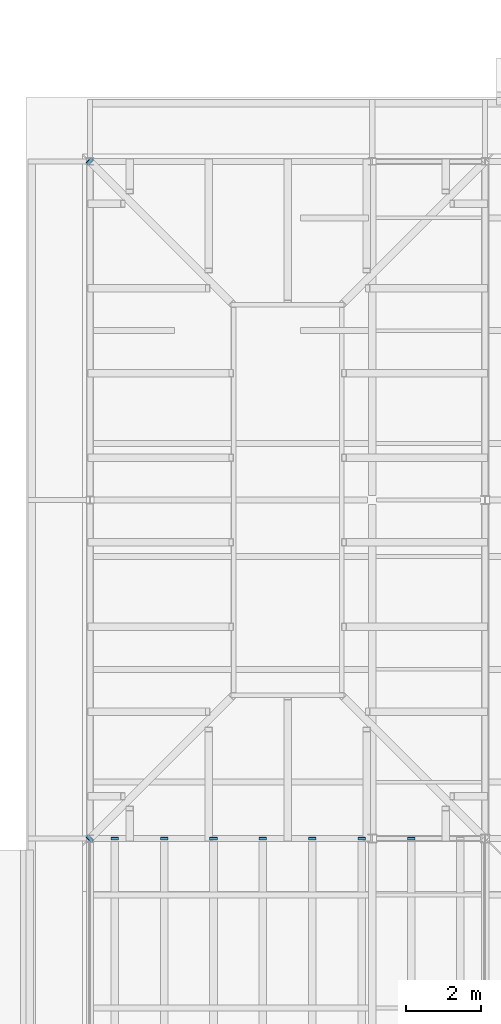
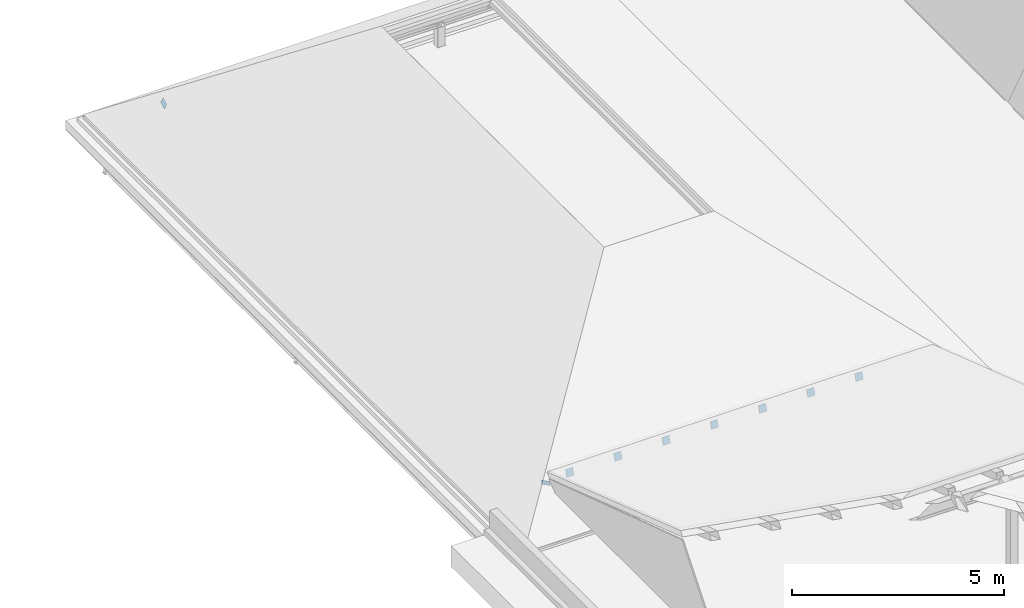
# One storey, part 101 of 121: 9 discrete accessories.
"""IFC4 building model written with IfcOpenShell, lengths in metres."""

from ifc_helpers import new_model, si_unit, direction, frame, origin, origin_2d, place, context, subcontext, project, spatial, rectangle, extrude, material, material_profile, profile_set, type_object, element, save


model = new_model("IFC4")

# Units and contexts
model_context = context("Model", 3, precision=1e-05, world=origin(), true_north=direction((0.0, 1.0)))
body_context = subcontext(model_context, "Body", "Model", "MODEL_VIEW")
ifc_project = project(units=[si_unit("LENGTHUNIT", "METRE"), si_unit("AREAUNIT", "SQUARE_METRE"), si_unit("VOLUMEUNIT", "CUBIC_METRE"), si_unit("PLANEANGLEUNIT", "RADIAN"), si_unit("MASSUNIT", "GRAM", prefix="KILO")], contexts=[model_context])

# Site, building, storey
site_placement = place(None, origin())
site = spatial("IfcSite", under=ifc_project, at=site_placement, CompositionType="ELEMENT")
building_placement = place(site_placement, origin())
building = spatial("IfcBuilding", under=site, at=building_placement, Name="Golden Quay Civic Hall", CompositionType="ELEMENT")
storey_placement = place(building_placement, frame((0.0, 0.0, 18.60009765625)))
storey = spatial("IfcBuildingStorey", under=building, at=storey_placement, Name="L04", CompositionType="ELEMENT", Elevation=18.60009765625)

# Discrete accessories
ifc_material = material(Name="Steel S355", Category="steel")
ifc_material_profile = material_profile(ifc_material, rectangle(XDim=0.199951171875, YDim=0.199951171875, at=origin_2d()), Name="Steel end cap plate 200x200x16")
ifc_profile_set = profile_set([ifc_material_profile], Name="Steel S355")
discrete_accessory_type = type_object("IfcDiscreteAccessoryType", Name="Steel end cap plate 200x200x16", PredefinedType="BRACKET", material=ifc_profile_set)
for number, where, z_axis, x_axis, name in (
    (1, (54.0, 36.0, 0.92822265625), (-0.628025291884, -0.628025291884, -0.459530701378), (0.707106781187, -0.707106781187, 0.0), "End cap hip rafter WM-N south-west"),
    (2, (54.0, 54.0, 0.92822265625), (-0.628025291884, 0.628025291884, -0.459530701378), (-0.707106781187, -0.707106781187, 0.0), "End cap hip rafter WM-N north-west"),
    (3, (54.65625, 36.0, 0.990478515625), (0.0, 0.947144575628, -0.32080703368), (-1.0, 0.0, 0.0), "End cap gable rafter north 1"),
    (4, (55.96875, 36.0, 0.990478515625), (0.0, 0.947144575628, -0.32080703368), (-1.0, 0.0, 0.0), "End cap gable rafter north 2"),
    (5, (57.28125, 36.0, 0.990478515625), (0.0, 0.947144575628, -0.32080703368), (-1.0, 0.0, 0.0), "End cap gable rafter north 3"),
    (6, (58.59375, 36.0, 0.990478515625), (0.0, 0.947144575628, -0.32080703368), (-1.0, 0.0, 0.0), "End cap gable rafter north 4"),
    (7, (59.90625, 36.0, 0.990478515625), (0.0, 0.947144575628, -0.32080703368), (-1.0, 0.0, 0.0), "End cap gable rafter north 5"),
    (8, (61.21875, 36.0, 0.990478515625), (0.0, 0.947144575628, -0.32080703368), (-1.0, 0.0, 0.0), "End cap gable rafter north 6"),
    (9, (62.53125, 36.0, 0.990478515625), (0.0, 0.947144575628, -0.32080703368), (-1.0, 0.0, 0.0), "End cap gable rafter north 7"),
):
    element("IfcDiscreteAccessory", number, at=place(storey_placement, frame(where, z_axis=z_axis, x_axis=x_axis)), inside=storey, type_object=discrete_accessory_type, Name=name, PredefinedType="BRACKET", context=body_context, shape_type="SweptSolid", body=[
        extrude(rectangle(XDim=0.199951171875, YDim=0.199951171875, at=origin_2d()), origin(), (0.0, 0.0, 1.0), 0.015869140625),
    ])

save(model, "model.ifc")
